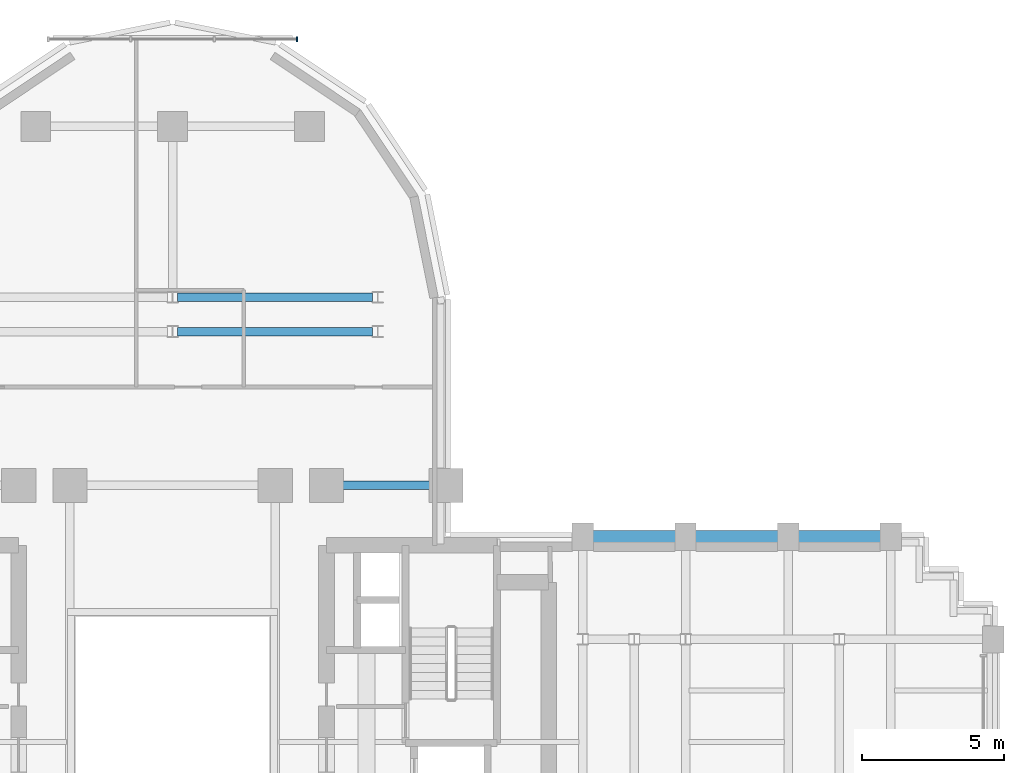
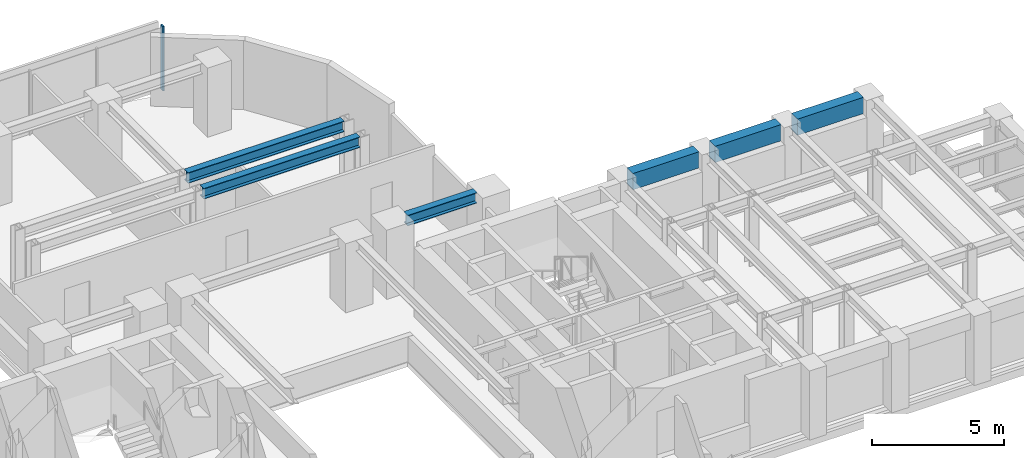
# One storey, part 8 of 16: 6 beams, 1 member, 1 element without a shape of its own.
"""IFC4 building model written with IfcOpenShell, lengths in metres."""

from ifc_helpers import new_model, si_unit, direction, frame, origin, origin_2d, place, context, subcontext, project, spatial, rectangle, i_section, extrude, source, transform, mapped, material, material_profile, profile_set, type_object, element, aggregate, save


model = new_model("IFC4")

# Units and contexts
model_context = context("Model", 3, precision=1e-05, world=origin(), true_north=direction((0.0, 1.0)))
body_context = subcontext(model_context, "Body", "Model", "MODEL_VIEW")
ifc_project = project(units=[si_unit("LENGTHUNIT", "METRE"), si_unit("AREAUNIT", "SQUARE_METRE"), si_unit("VOLUMEUNIT", "CUBIC_METRE"), si_unit("PLANEANGLEUNIT", "RADIAN"), si_unit("MASSUNIT", "GRAM", prefix="KILO")], contexts=[model_context])

# Site, building, storey
site_placement = place(None, origin())
site = spatial("IfcSite", under=ifc_project, at=site_placement, CompositionType="ELEMENT")
building_placement = place(site_placement, origin())
building = spatial("IfcBuilding", under=site, at=building_placement, Name="Keilestroom Media Tower", CompositionType="ELEMENT")
storey_placement = place(building_placement, frame((0.0, 0.0, 74.800048828125)))
storey = spatial("IfcBuildingStorey", under=building, at=storey_placement, Name="L19", CompositionType="ELEMENT", Elevation=74.800048828125)

# Beams
ifc_material_1 = material(Name="Precast concrete C40/50", Category="concrete")
ifc_material_profile_1 = material_profile(ifc_material_1, rectangle(XDim=0.449951171875, YDim=0.75, at=origin_2d()), Name="PC 450x750")
ifc_profile_set_1 = profile_set([ifc_material_profile_1], Name="Precast concrete C40/50")
beam_type_1 = type_object("IfcBeamType", Name="Perimeter-Spandrel-Beam-PC-450x750", PredefinedType="SPANDREL", material=ifc_profile_set_1)
shared_shape_1 = source(origin(), body_context, "Body", "SweptSolid", [
    extrude(rectangle(XDim=0.449951171875, YDim=0.75, at=origin_2d()), origin(), (0.0, 0.0, 1.0), 2.889892578125),
])
beam_1_placement = place(storey_placement, frame((21.955078125, 7.199951171875, 2.824951171875), z_axis=(1.0, 0.0, 0.0), x_axis=(0.0, 1.0, 0.0)))
element("IfcBeam", 1, at=beam_1_placement, inside=storey, type_object=beam_type_1, Name="L19 Beam SPB-1 BM-L19-EW-039", PredefinedType="SPANDREL", context=body_context, shape_type="MappedRepresentation", body=[
    mapped(shared_shape_1, transform((0.0, 0.0, 0.0), x_axis=(1.0, 0.0, 0.0), y_axis=(0.0, 1.0, 0.0), z_axis=(0.0, 0.0, 1.0), scale=1.0)),
])
shared_shape_2 = source(origin(), body_context, "Body", "SweptSolid", [
    extrude(rectangle(XDim=0.449951171875, YDim=0.75, at=origin_2d()), origin(), (0.0, 0.0, 1.0), 2.89013671875),
])
for number, where, z_axis, x_axis, name in (
    (2, (14.7548828125, 7.199951171875, 2.824951171875), (1.0, 0.0, 0.0), (0.0, 1.0, 0.0), "L19 Beam SPB-1 BM-L19-EW-037"),
    (3, (18.35498046875, 7.199951171875, 2.824951171875), (1.0, 0.0, 0.0), (0.0, 1.0, 0.0), "L19 Beam SPB-1 BM-L19-EW-038"),
):
    element("IfcBeam", number, at=place(storey_placement, frame(where, z_axis=z_axis, x_axis=x_axis)), inside=storey, type_object=beam_type_1, Name=name, PredefinedType="SPANDREL", context=body_context, shape_type="MappedRepresentation", body=[
        mapped(shared_shape_2, transform((0.0, 0.0, 0.0), x_axis=(1.0, 0.0, 0.0), y_axis=(0.0, 1.0, 0.0), z_axis=(0.0, 0.0, 1.0), scale=1.0)),
    ])
ifc_material_2 = material(Name="Steel S355", Category="steel")
ifc_material_profile_2 = material_profile(ifc_material_2, i_section(OverallWidth=0.300048828125, OverallDepth=0.489990234375, WebThickness=0.011962890625, FlangeThickness=0.02294921875, at=origin_2d()), Name="HEA 500")
ifc_profile_set_2 = profile_set([ifc_material_profile_2], Name="Steel S355")
beam_type_2 = type_object("IfcBeamType", Name="Primary-Structural-Girder-HEA-500", PredefinedType="BEAM", material=ifc_profile_set_2)
shared_shape_3 = source(origin(), body_context, "Body", "SweptSolid", [
    extrude(i_section(OverallWidth=0.300048828125, OverallDepth=0.489990234375, WebThickness=0.011962890625, FlangeThickness=0.02294921875, at=origin_2d()), origin(), (0.0, 0.0, 1.0), 6.836181640625),
])
for number, where, z_axis, x_axis, name in (
    (4, (0.181884765625, 14.39990234375, 2.954833984375), (1.0, 0.0, 0.0), (0.0, 1.0, 0.0), "L19 Beam BG-10 BM-L19-EW-046"),
    (5, (0.181884765625, 15.60009765625, 2.954833984375), (1.0, 0.0, 0.0), (0.0, 1.0, 0.0), "L19 Beam BG-10 BM-L19-EW-048"),
):
    element("IfcBeam", number, at=place(storey_placement, frame(where, z_axis=z_axis, x_axis=x_axis)), inside=storey, type_object=beam_type_2, Name=name, PredefinedType="BEAM", context=body_context, shape_type="MappedRepresentation", body=[
        mapped(shared_shape_3, transform((0.0, 0.0, 0.0), x_axis=(1.0, 0.0, 0.0), y_axis=(0.0, 1.0, 0.0), z_axis=(0.0, 0.0, 1.0), scale=1.0)),
    ])
shared_shape_4 = source(origin(), body_context, "Body", "SweptSolid", [
    extrude(i_section(OverallWidth=0.300048828125, OverallDepth=0.489990234375, WebThickness=0.011962890625, FlangeThickness=0.02294921875, at=origin_2d()), origin(), (0.0, 0.0, 1.0), 3.0400390625),
])
beam_2_placement = place(storey_placement, frame((5.97998046875, 9.0, 2.954833984375), z_axis=(1.0, 0.0, 0.0), x_axis=(0.0, 1.0, 0.0)))
element("IfcBeam", 6, at=beam_2_placement, inside=storey, type_object=beam_type_2, Name="L19 Beam BG-10 BM-L19-EW-044", PredefinedType="BEAM", context=body_context, shape_type="MappedRepresentation", body=[
    mapped(shared_shape_4, transform((0.0, 0.0, 0.0), x_axis=(1.0, 0.0, 0.0), y_axis=(0.0, 1.0, 0.0), z_axis=(0.0, 0.0, 1.0), scale=1.0)),
])

# Curtain wall, member
ifc_material_3 = material(Name="Anodised Aluminium Alloy", Category="aluminium")
curtain_wall_type = type_object("IfcCurtainWallType", Name="Unitised-Curtain-Wall-CW-6", PredefinedType="NOTDEFINED", material=ifc_material_3)
curtain_wall_placement = place(storey_placement, origin())
curtain_wall = element("IfcCurtainWall", 7, at=curtain_wall_placement, inside=storey, type_object=curtain_wall_type, Name="L19 Curtain Wall CW-6 CW-L19-LN-1", PredefinedType="NOTDEFINED")
ifc_material_profile_3 = material_profile(ifc_material_3, rectangle(XDim=0.06494140625, YDim=0.179931640625, at=origin_2d()), Name="ALU MULLION 65x180")
ifc_profile_set_3 = profile_set([ifc_material_profile_3], Name="Anodised Aluminium Alloy")
member_type = type_object("IfcMemberType", Name="Curtain-Wall-Mullion-CW-6", PredefinedType="MULLION", material=ifc_profile_set_3)
shared_shape_5 = source(origin(), body_context, "Body", "SweptSolid", [
    extrude(rectangle(XDim=0.06494140625, YDim=0.179931640625, at=origin_2d()), origin(), (0.0, 0.0, 1.0), 2.97998046875),
])
member_placement = place(storey_placement, frame((4.367431640625, 24.64990234375, 0.0), z_axis=(0.0, 0.0, 1.0), x_axis=(1.0, 0.0, 0.0)))
member = element("IfcMember", 8, at=member_placement, type_object=member_type, Name="CW-6 Mullion 03", PredefinedType="MULLION", context=body_context, shape_type="MappedRepresentation", body=[
    mapped(shared_shape_5, transform((0.0, 0.0, 0.0), x_axis=(1.0, 0.0, 0.0), y_axis=(0.0, 1.0, 0.0), z_axis=(0.0, 0.0, 1.0), scale=1.0)),
])
aggregate(curtain_wall, [member])

save(model, "model.ifc")
